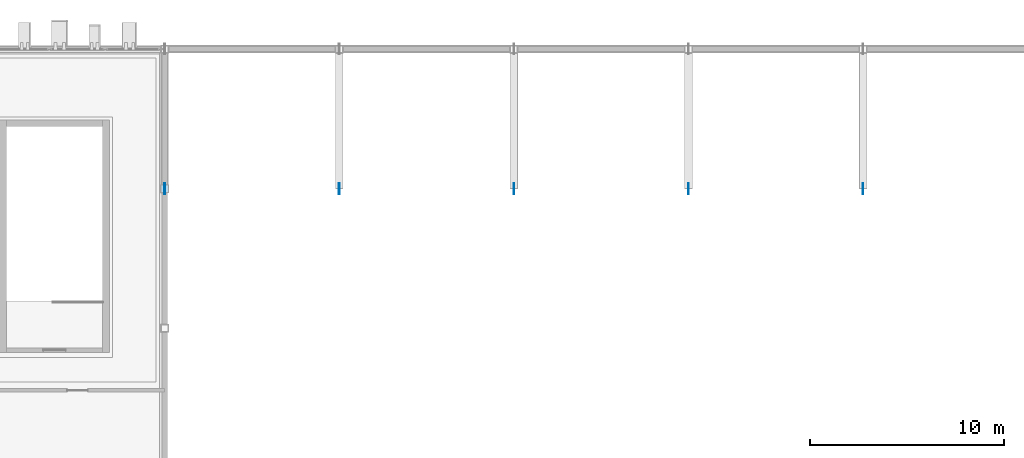
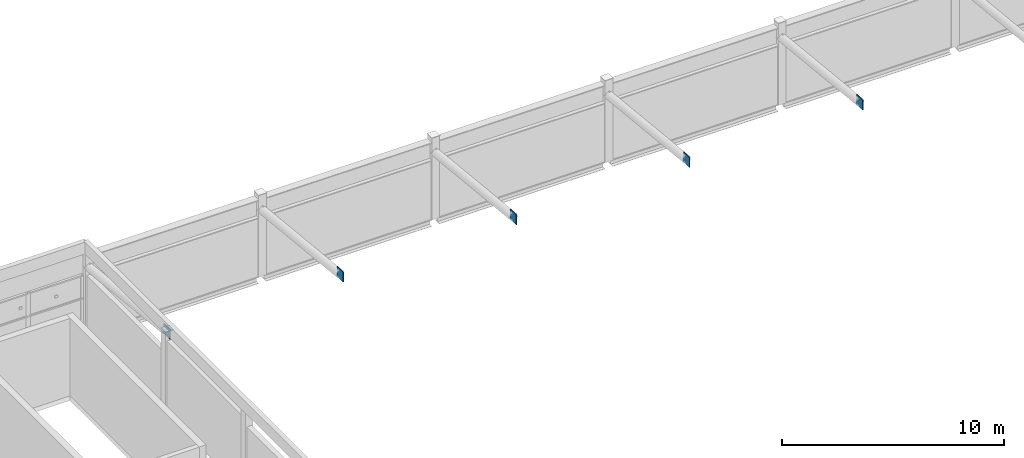
# One storey, part 96 of 124: 6 plates.
"""IFC4 building model written with IfcOpenShell, lengths in metres."""

from ifc_helpers import new_model, si_unit, direction, frame, origin, origin_2d, place, context, subcontext, project, spatial, rectangle, extrude, material, layer, layer_set, type_object, element, save


model = new_model("IFC4")

# Units and contexts
model_context = context("Model", 3, precision=1e-05, world=origin(), true_north=direction((0.0, 1.0)))
body_context = subcontext(model_context, "Body", "Model", "MODEL_VIEW")
ifc_project = project(units=[si_unit("LENGTHUNIT", "METRE"), si_unit("AREAUNIT", "SQUARE_METRE"), si_unit("VOLUMEUNIT", "CUBIC_METRE"), si_unit("PLANEANGLEUNIT", "RADIAN"), si_unit("MASSUNIT", "GRAM", prefix="KILO")], contexts=[model_context])

# Site, building, storey
site_placement = place(None, origin())
site = spatial("IfcSite", under=ifc_project, at=site_placement, CompositionType="ELEMENT")
building_placement = place(site_placement, origin())
building = spatial("IfcBuilding", under=site, at=building_placement, Name="Celestram Park Convention Centre", CompositionType="ELEMENT")
storey_placement = place(building_placement, frame((0.0, 0.0, 15.300048828125)))
storey = spatial("IfcBuildingStorey", under=building, at=storey_placement, Name="L03", CompositionType="ELEMENT", Elevation=15.300048828125)

# Plates
ifc_material = material(Name="Steel ASTM A572 Grade 50", Category="steel")
ifc_layer_1 = layer(ifc_material, 0.02490234375)
ifc_layer_set_1 = layer_set([ifc_layer_1], Name="Steel ASTM A572 Grade 50")
plate_type_1 = type_object("IfcPlateType", Name="STR-PLT-EC400", PredefinedType="USERDEFINED", material=ifc_layer_set_1)
plate_placement = place(storey_placement, frame((153.0, 158.39990234375, 4.49951171875), z_axis=(0.0, 0.0, 1.0), x_axis=(1.0, 0.0, 0.0)))
element("IfcPlate", 1, at=plate_placement, inside=storey, type_object=plate_type_1, Name="HSS column end closure cap plate EC-L03-134", ObjectType="GUSSET_PLATE", PredefinedType="USERDEFINED", context=body_context, shape_type="SweptSolid", body=[
    extrude(rectangle(XDim=0.429931640625, YDim=0.429931640625, at=origin_2d()), origin(), (0.0, 0.0, 1.0), 0.02490234375),
])
ifc_layer_2 = layer(ifc_material, 0.0400390625)
ifc_layer_set_2 = layer_set([ifc_layer_2], Name="Steel ASTM A572 Grade 50")
plate_type_2 = type_object("IfcPlateType", Name="STR-PLT-GP40", PredefinedType="USERDEFINED", material=ifc_layer_set_2)
for number, where, z_axis, x_axis, name in (
    (2, (153.0, 158.39990234375, 4.083984375), (0.0, 0.0, 1.0), (0.0, 1.0, 0.0), "V2 truss node gusset plate"),
    (3, (162.0, 158.39990234375, 4.083984375), (0.0, 0.0, 1.0), (0.0, 1.0, 0.0), "V2 truss node gusset plate"),
    (4, (171.0, 158.39990234375, 4.083984375), (0.0, 0.0, 1.0), (0.0, 1.0, 0.0), "V2 truss node gusset plate"),
    (5, (180.0, 158.39990234375, 4.083984375), (0.0, 0.0, 1.0), (0.0, 1.0, 0.0), "V2 truss node gusset plate"),
    (6, (189.0, 158.39990234375, 4.083984375), (0.0, 0.0, 1.0), (0.0, 1.0, 0.0), "V2 truss node gusset plate"),
):
    element("IfcPlate", number, at=place(storey_placement, frame(where, z_axis=z_axis, x_axis=x_axis)), inside=storey, type_object=plate_type_2, Name=name, ObjectType="GUSSET_PLATE", PredefinedType="USERDEFINED", context=body_context, shape_type="SweptSolid", body=[
        extrude(rectangle(XDim=0.550048828125, YDim=0.0400390625, at=origin_2d()), origin(), (0.0, 0.0, 1.0), 0.550048828125),
    ])

save(model, "model.ifc")
